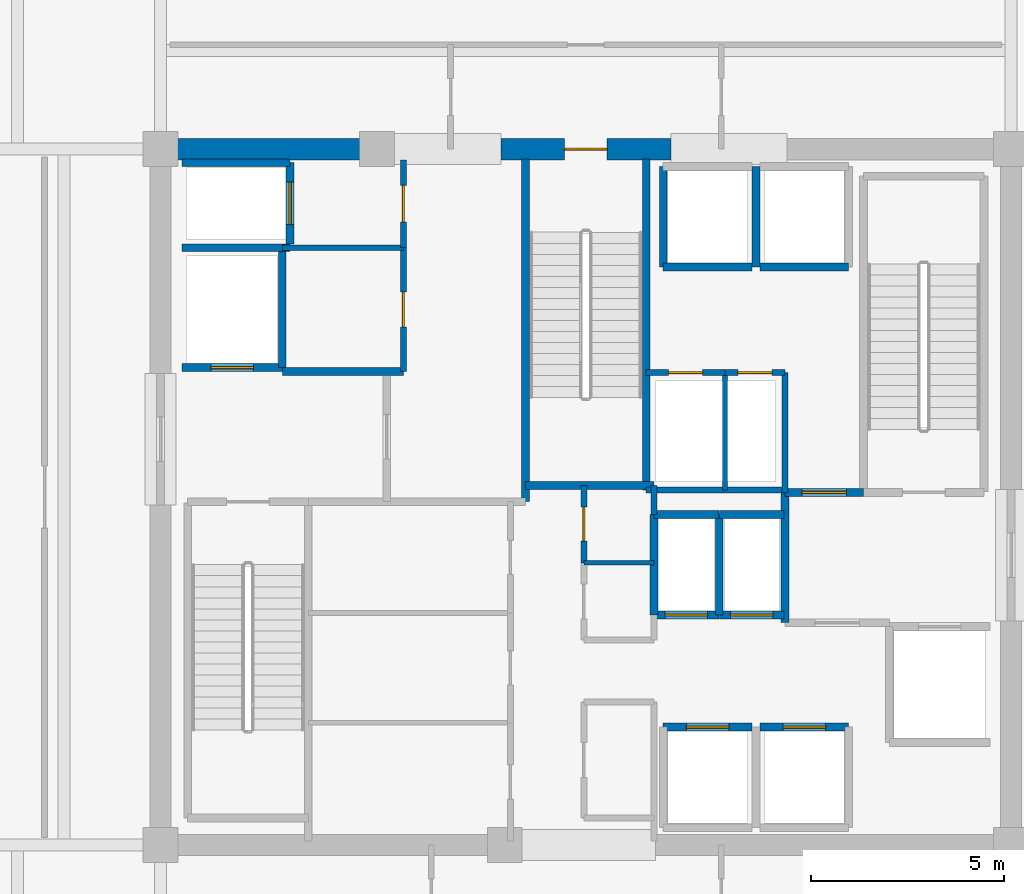
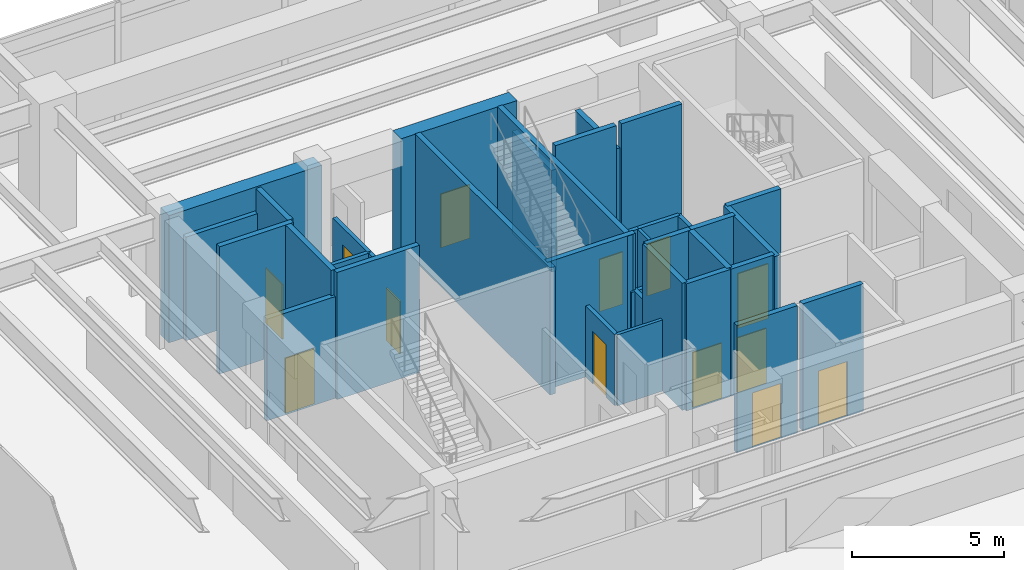
# One storey, part 21 of 24: 36 walls, 13 doors, 13 openings.
"""IFC4 building model written with IfcOpenShell, lengths in metres."""

from ifc_helpers import new_model, si_unit, direction, frame, frame_2d, origin, place, context, subcontext, project, spatial, rectangle, extrude, material, layer, layer_set, type_object, element, fill, save


model = new_model("IFC4")

# Units and contexts
model_context = context("Model", 3, precision=1e-05, world=origin(), true_north=direction((0.0, 1.0)))
body_context = subcontext(model_context, "Body", "Model", "MODEL_VIEW")
ifc_project = project(units=[si_unit("LENGTHUNIT", "METRE"), si_unit("AREAUNIT", "SQUARE_METRE"), si_unit("VOLUMEUNIT", "CUBIC_METRE"), si_unit("PLANEANGLEUNIT", "RADIAN"), si_unit("MASSUNIT", "GRAM", prefix="KILO")], contexts=[model_context])

# Site, building, storey
site_placement = place(None, origin())
site = spatial("IfcSite", under=ifc_project, at=site_placement, CompositionType="ELEMENT")
building_placement = place(site_placement, origin())
building = spatial("IfcBuilding", under=site, at=building_placement, Name="Kovane Verandah Tower", CompositionType="ELEMENT")
storey_placement = place(building_placement, frame((0.0, 0.0, 194.800048828125)))
storey = spatial("IfcBuildingStorey", under=building, at=storey_placement, Name="L45", CompositionType="ELEMENT", Elevation=194.800048828125)

# Wall
ifc_material_1 = material(Name="Fire-Rated Gypsum Stud Partition", Category="gypsum")
ifc_layer_1 = layer(ifc_material_1, 0.14990234375)
ifc_layer_set_1 = layer_set([ifc_layer_1], Name="Fire-Rated Gypsum Stud Partition")
wall_type_1 = type_object("IfcWallType", Name="WL-COR-150", PredefinedType="PARTITIONING", material=ifc_layer_set_1)
wall_1_placement = place(storey_placement, frame((41.760009765625, 27.050048828125, 0.0), z_axis=(0.0, 0.0, 1.0), x_axis=(0.0, 1.0, 0.0)))
element("IfcWall", 1, at=wall_1_placement, inside=storey, type_object=wall_type_1, Name="L45 Central Core Strip Upper East Wall", PredefinedType="PARTITIONING", context=body_context, shape_type="SweptSolid", body=[
    extrude(rectangle(XDim=0.75, YDim=0.14990234375, at=frame_2d((0.375, 0.0))), origin(), (0.0, 0.0, 1.0), 2.849853515625),
])

# Wall, opening, door
wall_2_placement = place(storey_placement, frame((39.949951171875, 25.800048828125, 0.0), z_axis=(0.0, 0.0, 1.0), x_axis=(0.0, 1.0, 0.0)))
wall_2 = element("IfcWall", 2, at=wall_2_placement, inside=storey, type_object=wall_type_1, Name="L45 Telecom Riser Room Partition", PredefinedType="PARTITIONING", context=body_context, shape_type="SweptSolid", body=[
    extrude(rectangle(XDim=2.0, YDim=0.14990234375, at=frame_2d((1.0, 0.0))), origin(), (0.0, 0.0, 1.0), 2.849853515625),
])
opening_1_placement = place(wall_2_placement, frame((0.56005859375, 0.0, 0.0)))
opening_1 = element("IfcOpeningElement", 3, at=opening_1_placement, cuts=wall_2, Name="Opening DR-L45-022", PredefinedType="OPENING", context=body_context, shape_type="SweptSolid", body=[
    extrude(rectangle(XDim=0.8798828125, YDim=2.10009765625, at=frame_2d((0.43994140625, 1.050048828125))), frame((0.0, 0.074951171875, 0.0), z_axis=(0.0, -1.0, 0.0), x_axis=(1.0, 0.0, 0.0)), (0.0, 0.0, 1.0), 0.14990234375),
])
ifc_material_2 = material(Name="Fire-Rated Steel Riser Access Door", Category="steel")
door_type_1 = type_object("IfcDoorType", Name="DR-RISER-880", OperationType="SINGLE_SWING_LEFT", PredefinedType="DOOR", material=ifc_material_2)
door_1_placement = place(opening_1_placement, origin())
door_1 = element("IfcDoor", 4, at=door_1_placement, inside=storey, type_object=door_type_1, Name="L45 Telecom Riser Room Door", OperationType="SINGLE_SWING_RIGHT", OverallHeight=2.10009765625, OverallWidth=0.8798828125, PredefinedType="DOOR", context=body_context, shape_type="SweptSolid", body=[
    extrude(rectangle(XDim=0.8798828125, YDim=2.10009765625, at=frame_2d((0.43994140625, 1.050048828125))), frame((0.0, 0.02490234375, 0.0), z_axis=(0.0, -1.0, 0.0), x_axis=(1.0, 0.0, 0.0)), (0.0, 0.0, 1.0), 0.050048828125),
])
fill(opening_1, door_1)

# Wall
wall_3_placement = place(storey_placement, frame((32.14990234375, 33.949951171875, 0.0), z_axis=(0.0, 0.0, 1.0), x_axis=(1.0, 0.0, 0.0)))
element("IfcWall", 5, at=wall_3_placement, inside=storey, type_object=wall_type_1, Name="L45 Goods Lift Lobby South Wall", PredefinedType="PARTITIONING", context=body_context, shape_type="SweptSolid", body=[
    extrude(rectangle(XDim=3.130126953125, YDim=0.14990234375, at=frame_2d((1.56494140625, 0.0))), origin(), (0.0, 0.0, 1.0), 2.849853515625),
])

# Wall, opening, door
wall_4_placement = place(storey_placement, frame((35.280029296875, 33.949951171875, 0.0), z_axis=(0.0, 0.0, 1.0), x_axis=(0.0, 1.0, 0.0)))
wall_4 = element("IfcWall", 6, at=wall_4_placement, inside=storey, type_object=wall_type_1, Name="L45 Goods Lift Lobby East Fire Partition", PredefinedType="PARTITIONING", context=body_context, shape_type="SweptSolid", body=[
    extrude(rectangle(XDim=2.27001953125, YDim=0.14990234375, at=frame_2d((1.135009765625, 0.0))), origin(), (0.0, 0.0, 1.0), 2.849853515625),
])
opening_2_placement = place(wall_4_placement, frame((0.659912109375, 0.0, 0.0)))
opening_2 = element("IfcOpeningElement", 7, at=opening_2_placement, cuts=wall_4, Name="Opening DR-L45-006", PredefinedType="OPENING", context=body_context, shape_type="SweptSolid", body=[
    extrude(rectangle(XDim=0.949951171875, YDim=2.14990234375, at=frame_2d((0.47509765625, 1.074951171875))), frame((0.0, 0.074951171875, 0.0), z_axis=(0.0, -1.0, 0.0), x_axis=(1.0, 0.0, 0.0)), (0.0, 0.0, 1.0), 0.14990234375),
])
ifc_material_3 = material(Name="Fire-Rated Steel Refuge and Lobby Door", Category="steel")
door_type_2 = type_object("IfcDoorType", Name="DR-FIRE-950", OperationType="SINGLE_SWING_LEFT", PredefinedType="DOOR", material=ifc_material_3)
door_2_placement = place(opening_2_placement, origin())
door_2 = element("IfcDoor", 8, at=door_2_placement, inside=storey, type_object=door_type_2, Name="L45 Goods Lift Lobby Fire Door", OperationType="SINGLE_SWING_LEFT", OverallHeight=2.14990234375, OverallWidth=0.949951171875, PredefinedType="DOOR", context=body_context, shape_type="SweptSolid", body=[
    extrude(rectangle(XDim=0.949951171875, YDim=2.14990234375, at=frame_2d((0.47509765625, 1.074951171875))), frame((0.0, 0.02490234375, 0.0), z_axis=(0.0, -1.0, 0.0), x_axis=(1.0, 0.0, 0.0)), (0.0, 0.0, 1.0), 0.050048828125),
])
fill(opening_2, door_2)

wall_5_placement = place(storey_placement, frame((35.280029296875, 30.75, 0.0), z_axis=(0.0, 0.0, 1.0), x_axis=(0.0, 1.0, 0.0)))
wall_5 = element("IfcWall", 9, at=wall_5_placement, inside=storey, type_object=wall_type_1, Name="L45 Accessible Unisex Toilet Partition", PredefinedType="PARTITIONING", context=body_context, shape_type="SweptSolid", body=[
    extrude(rectangle(XDim=3.199951171875, YDim=0.14990234375, at=frame_2d((1.60009765625, 0.0))), origin(), (0.0, 0.0, 1.0), 2.849853515625),
])
opening_3_placement = place(wall_5_placement, frame((1.14990234375, 0.0, 0.0)))
opening_3 = element("IfcOpeningElement", 10, at=opening_3_placement, cuts=wall_5, Name="Opening DR-L45-024", PredefinedType="OPENING", context=body_context, shape_type="SweptSolid", body=[
    extrude(rectangle(XDim=0.89990234375, YDim=2.10009765625, at=frame_2d((0.449951171875, 1.050048828125))), frame((0.0, 0.074951171875, 0.0), z_axis=(0.0, -1.0, 0.0), x_axis=(1.0, 0.0, 0.0)), (0.0, 0.0, 1.0), 0.14990234375),
])
ifc_material_4 = material(Name="Moisture-Resistant Laminate Washroom Door", Category="wood")
door_type_3 = type_object("IfcDoorType", Name="DR-WC-900", OperationType="SINGLE_SWING_LEFT", PredefinedType="DOOR", material=ifc_material_4)
door_3_placement = place(opening_3_placement, origin())
door_3 = element("IfcDoor", 11, at=door_3_placement, inside=storey, type_object=door_type_3, Name="L45 Accessible Unisex Toilet Door", OperationType="SINGLE_SWING_RIGHT", OverallHeight=2.10009765625, OverallWidth=0.89990234375, PredefinedType="DOOR", context=body_context, shape_type="SweptSolid", body=[
    extrude(rectangle(XDim=0.89990234375, YDim=2.10009765625, at=frame_2d((0.449951171875, 1.050048828125))), frame((0.0, 0.02490234375, 0.0), z_axis=(0.0, -1.0, 0.0), x_axis=(1.0, 0.0, 0.0)), (0.0, 0.0, 1.0), 0.050048828125),
])
fill(opening_3, door_3)

# Walls
wall_6_placement = place(storey_placement, frame((41.56005859375, 27.679931640625, 0.0), z_axis=(0.0, 0.0, 1.0), x_axis=(1.0, 0.0, 0.0)))
element("IfcWall", 12, at=wall_6_placement, inside=storey, type_object=wall_type_1, Name="L45 East Core Service Riser South Wall", PredefinedType="PARTITIONING", context=body_context, shape_type="SweptSolid", body=[
    extrude(rectangle(XDim=3.58984375, YDim=0.14990234375, at=frame_2d((1.794921875, 0.0))), origin(), (0.0, 0.0, 1.0), 2.849853515625),
])
wall_7_placement = place(storey_placement, frame((45.14990234375, 27.6201171875, 0.0), z_axis=(0.0, 0.0, 1.0), x_axis=(0.0, 1.0, 0.0)))
element("IfcWall", 13, at=wall_7_placement, inside=storey, type_object=wall_type_1, Name="L45 East Core Service Riser East Wall", PredefinedType="PARTITIONING", context=body_context, shape_type="SweptSolid", body=[
    extrude(rectangle(XDim=3.099853515625, YDim=0.14990234375, at=frame_2d((1.5498046875, 0.0))), origin(), (0.0, 0.0, 1.0), 2.849853515625),
])

# Wall, opening, door
wall_8_placement = place(storey_placement, frame((41.56005859375, 30.719970703125, 0.0), z_axis=(0.0, 0.0, 1.0), x_axis=(1.0, 0.0, 0.0)))
wall_8 = element("IfcWall", 14, at=wall_8_placement, inside=storey, type_object=wall_type_1, Name="L45 Electrical Sub-Main Riser Room Partition", PredefinedType="PARTITIONING", context=body_context, shape_type="SweptSolid", body=[
    extrude(rectangle(XDim=2.0400390625, YDim=0.14990234375, at=frame_2d((1.02001953125, 0.0))), origin(), (0.0, 0.0, 1.0), 2.849853515625),
])
opening_4_placement = place(wall_8_placement, frame((0.580078125, 0.0, 0.0)))
opening_4 = element("IfcOpeningElement", 15, at=opening_4_placement, cuts=wall_8, Name="Opening DR-L45-018", PredefinedType="OPENING", context=body_context, shape_type="SweptSolid", body=[
    extrude(rectangle(XDim=0.8798828125, YDim=2.10009765625, at=frame_2d((0.43994140625, 1.050048828125))), frame((0.0, 0.074951171875, 0.0), z_axis=(0.0, -1.0, 0.0), x_axis=(1.0, 0.0, 0.0)), (0.0, 0.0, 1.0), 0.14990234375),
])
door_4_placement = place(opening_4_placement, origin())
door_4 = element("IfcDoor", 16, at=door_4_placement, inside=storey, type_object=door_type_1, Name="L45 Electrical Sub-Main Riser Room Door", OperationType="SINGLE_SWING_RIGHT", OverallHeight=2.10009765625, OverallWidth=0.8798828125, PredefinedType="DOOR", context=body_context, shape_type="SweptSolid", body=[
    extrude(rectangle(XDim=0.8798828125, YDim=2.10009765625, at=frame_2d((0.43994140625, 1.050048828125))), frame((0.0, 0.02490234375, 0.0), z_axis=(0.0, -1.0, 0.0), x_axis=(1.0, 0.0, 0.0)), (0.0, 0.0, 1.0), 0.050048828125),
])
fill(opening_4, door_4)

wall_9_placement = place(storey_placement, frame((43.60009765625, 30.719970703125, 0.0), z_axis=(0.0, 0.0, 1.0), x_axis=(1.0, 0.0, 0.0)))
wall_9 = element("IfcWall", 17, at=wall_9_placement, inside=storey, type_object=wall_type_1, Name="L45 Sprinkler Wet Riser Room Partition", PredefinedType="PARTITIONING", context=body_context, shape_type="SweptSolid", body=[
    extrude(rectangle(XDim=1.5498046875, YDim=0.14990234375, at=frame_2d((0.77490234375, 0.0))), origin(), (0.0, 0.0, 1.0), 2.849853515625),
])
opening_5_placement = place(wall_9_placement, frame((0.3349609375, 0.0, 0.0)))
opening_5 = element("IfcOpeningElement", 18, at=opening_5_placement, cuts=wall_9, Name="Opening DR-L45-019", PredefinedType="OPENING", context=body_context, shape_type="SweptSolid", body=[
    extrude(rectangle(XDim=0.8798828125, YDim=2.10009765625, at=frame_2d((0.43994140625, 1.050048828125))), frame((0.0, 0.074951171875, 0.0), z_axis=(0.0, -1.0, 0.0), x_axis=(1.0, 0.0, 0.0)), (0.0, 0.0, 1.0), 0.14990234375),
])
door_5_placement = place(opening_5_placement, origin())
door_5 = element("IfcDoor", 19, at=door_5_placement, inside=storey, type_object=door_type_1, Name="L45 Sprinkler Wet Riser Room Door", OperationType="SINGLE_SWING_LEFT", OverallHeight=2.10009765625, OverallWidth=0.8798828125, PredefinedType="DOOR", context=body_context, shape_type="SweptSolid", body=[
    extrude(rectangle(XDim=0.8798828125, YDim=2.10009765625, at=frame_2d((0.43994140625, 1.050048828125))), frame((0.0, 0.02490234375, 0.0), z_axis=(0.0, -1.0, 0.0), x_axis=(1.0, 0.0, 0.0)), (0.0, 0.0, 1.0), 0.050048828125),
])
fill(opening_5, door_5)

# Wall
ifc_material_5 = material(Name="Concrete C60/75", Category="concrete")
ifc_layer_2 = layer(ifc_material_5, 0.550048828125)
ifc_layer_set_2 = layer_set([ifc_layer_2], Name="Concrete C60/75")
wall_type_2 = type_object("IfcWallType", Name="WL-CORE-550", PredefinedType="SHEAR", material=ifc_layer_set_2)
wall_10_placement = place(storey_placement, frame((29.0, 36.5, 0.0), z_axis=(0.0, 0.0, 1.0), x_axis=(1.0, 0.0, 0.0)))
element("IfcWall", 20, at=wall_10_placement, inside=storey, type_object=wall_type_2, Name="L45 Core Shear Wall CN-1", PredefinedType="SHEAR", context=body_context, shape_type="SweptSolid", body=[
    extrude(rectangle(XDim=5.800048828125, YDim=0.550048828125, at=frame_2d((2.89990234375, 0.0))), origin(), (0.0, 0.0, 1.0), 5.099853515625),
])

# Wall, opening, door
wall_11_placement = place(storey_placement, frame((37.800048828125, 36.5, 0.0), z_axis=(0.0, 0.0, 1.0), x_axis=(1.0, 0.0, 0.0)))
wall_11 = element("IfcWall", 21, at=wall_11_placement, inside=storey, type_object=wall_type_2, Name="L45 Core Shear Wall CN-2", PredefinedType="SHEAR", context=body_context, shape_type="SweptSolid", body=[
    extrude(rectangle(XDim=4.39990234375, YDim=0.550048828125, at=frame_2d((2.199951171875, 0.0))), origin(), (0.0, 0.0, 1.0), 5.099853515625),
])
opening_6_placement = place(wall_11_placement, frame((1.64990234375, 0.0, 0.0)))
opening_6 = element("IfcOpeningElement", 22, at=opening_6_placement, cuts=wall_11, Name="Opening DR-L45-013", PredefinedType="OPENING", context=body_context, shape_type="SweptSolid", body=[
    extrude(rectangle(XDim=1.10009765625, YDim=2.14990234375, at=frame_2d((0.550048828125, 1.074951171875))), frame((0.0, 0.27490234375, 0.0), z_axis=(0.0, -1.0, 0.0), x_axis=(1.0, 0.0, 0.0)), (0.0, 0.0, 1.0), 0.550048828125),
])
ifc_material_6 = material(Name="Fire-Rated Steel Exit Door", Category="steel")
door_type_4 = type_object("IfcDoorType", Name="DR-STAIR-1100", OperationType="SINGLE_SWING_LEFT", PredefinedType="DOOR", material=ifc_material_6)
door_6_placement = place(opening_6_placement, origin())
door_6 = element("IfcDoor", 23, at=door_6_placement, inside=storey, type_object=door_type_4, Name="L45 ST-03 Fire Exit Stair Door", OperationType="SINGLE_SWING_LEFT", OverallHeight=2.14990234375, OverallWidth=1.10009765625, PredefinedType="DOOR", context=body_context, shape_type="SweptSolid", body=[
    extrude(rectangle(XDim=1.10009765625, YDim=2.14990234375, at=frame_2d((0.550048828125, 1.074951171875))), frame((0.0, 0.02490234375, 0.0), z_axis=(0.0, -1.0, 0.0), x_axis=(1.0, 0.0, 0.0)), (0.0, 0.0, 1.0), 0.050048828125),
])
fill(opening_6, door_6)

# Walls
ifc_material_7 = material(Name="Concrete C45/55 Fire Wall", Category="concrete")
ifc_layer_3 = layer(ifc_material_7, 0.199951171875)
ifc_layer_set_3 = layer_set([ifc_layer_3], Name="Concrete C45/55 Fire Wall")
wall_type_3 = type_object("IfcWallType", Name="WL-FFL-200", PredefinedType="PARTITIONING", material=ifc_layer_set_3)
wall_12_placement = place(storey_placement, frame((32.14990234375, 30.75, 0.0), z_axis=(0.0, 0.0, 1.0), x_axis=(1.0, 0.0, 0.0)))
element("IfcWall", 24, at=wall_12_placement, inside=storey, type_object=wall_type_3, Name="L45 West Firefighting Lobby North Fire Wall", PredefinedType="PARTITIONING", context=body_context, shape_type="SweptSolid", body=[
    extrude(rectangle(XDim=3.130126953125, YDim=0.199951171875, at=frame_2d((1.56494140625, 0.0))), origin(), (0.0, 0.0, 1.0), 5.099853515625),
])
wall_13_placement = place(storey_placement, frame((45.14990234375, 24.25, 0.0), z_axis=(0.0, 0.0, 1.0), x_axis=(0.0, 1.0, 0.0)))
element("IfcWall", 25, at=wall_13_placement, inside=storey, type_object=wall_type_3, Name="L45 East Firefighting Lobby West Fire Wall", PredefinedType="PARTITIONING", context=body_context, shape_type="SweptSolid", body=[
    extrude(rectangle(XDim=3.3701171875, YDim=0.199951171875, at=frame_2d((1.68505859375, 0.0))), origin(), (0.0, 0.0, 1.0), 5.099853515625),
])

# Wall, opening, door
wall_14_placement = place(storey_placement, frame((45.14990234375, 27.6201171875, 0.0), z_axis=(0.0, 0.0, 1.0), x_axis=(1.0, 0.0, 0.0)))
wall_14 = element("IfcWall", 26, at=wall_14_placement, inside=storey, type_object=wall_type_3, Name="W-L45-FFLE-N", PredefinedType="PARTITIONING", context=body_context, shape_type="SweptSolid", body=[
    extrude(rectangle(XDim=2.030029296875, YDim=0.199951171875, at=frame_2d((1.01513671875, 0.0))), origin(), (0.0, 0.0, 1.0), 5.099853515625),
])
opening_7_placement = place(wall_14_placement, frame((0.43994140625, 0.0, 0.0)))
opening_7 = element("IfcOpeningElement", 27, at=opening_7_placement, cuts=wall_14, Name="Opening DR-L45-002", PredefinedType="OPENING", context=body_context, shape_type="SweptSolid", body=[
    extrude(rectangle(XDim=1.14990234375, YDim=2.199951171875, at=frame_2d((0.574951171875, 1.10009765625))), frame((0.0, 0.10009765625, 0.0), z_axis=(0.0, -1.0, 0.0), x_axis=(1.0, 0.0, 0.0)), (0.0, 0.0, 1.0), 0.199951171875),
])
ifc_material_8 = material(Name="Smoke-Sealed Firefighting Lobby Door", Category="steel")
door_type_5 = type_object("IfcDoorType", Name="DR-FFL-1150", OperationType="SINGLE_SWING_LEFT", PredefinedType="DOOR", material=ifc_material_8)
door_7_placement = place(opening_7_placement, origin())
door_7 = element("IfcDoor", 28, at=door_7_placement, inside=storey, type_object=door_type_5, Name="L45 East Firefighting Lobby Shuttle Link Door", OperationType="SINGLE_SWING_LEFT", OverallHeight=2.199951171875, OverallWidth=1.14990234375, PredefinedType="DOOR", context=body_context, shape_type="SweptSolid", body=[
    extrude(rectangle(XDim=1.14990234375, YDim=2.199951171875, at=frame_2d((0.574951171875, 1.10009765625))), frame((0.0, 0.02490234375, 0.0), z_axis=(0.0, -1.0, 0.0), x_axis=(1.0, 0.0, 0.0)), (0.0, 0.0, 1.0), 0.050048828125),
])
fill(opening_7, door_7)

ifc_material_9 = material(Name="Concrete C45/55 Lift Shaft Wall", Category="concrete")
ifc_layer_4 = layer(ifc_material_9, 0.199951171875)
ifc_layer_set_4 = layer_set([ifc_layer_4], Name="Concrete C45/55 Lift Shaft Wall")
wall_type_4 = type_object("IfcWallType", Name="WL-LIFT-200", PredefinedType="SOLIDWALL", material=ifc_layer_set_4)
wall_15_placement = place(storey_placement, frame((29.550048828125, 30.85009765625, 0.0), z_axis=(0.0, 0.0, 1.0), x_axis=(1.0, 0.0, 0.0)))
wall_15 = element("IfcWall", 29, at=wall_15_placement, inside=storey, type_object=wall_type_4, Name="L45 Lift FL-01 S Shaft Wall", PredefinedType="SOLIDWALL", context=body_context, shape_type="SweptSolid", body=[
    extrude(rectangle(XDim=2.599853515625, YDim=0.199951171875, at=frame_2d((1.2998046875, 0.0))), origin(), (0.0, 0.0, 1.0), 4.079833984375),
])
opening_8_placement = place(wall_15_placement, frame((0.75, 0.0, 0.0)))
opening_8 = element("IfcOpeningElement", 30, at=opening_8_placement, cuts=wall_15, Name="Opening LD-L45-001", PredefinedType="OPENING", context=body_context, shape_type="SweptSolid", body=[
    extrude(rectangle(XDim=1.10009765625, YDim=2.199951171875, at=frame_2d((0.550048828125, 1.10009765625))), frame((0.0, 0.10009765625, 0.0), z_axis=(0.0, -1.0, 0.0), x_axis=(1.0, 0.0, 0.0)), (0.0, 0.0, 1.0), 0.199951171875),
])
ifc_material_10 = material(Name="Brushed Stainless Steel Sliding Lift Landing Door", Category="steel")
door_type_6 = type_object("IfcDoorType", Name="DR-LIFT-1100", OperationType="SLIDING_TO_RIGHT", PredefinedType="DOOR", material=ifc_material_10)
door_8_placement = place(opening_8_placement, origin())
door_8 = element("IfcDoor", 31, at=door_8_placement, inside=storey, type_object=door_type_6, Name="L45 Lift FL-01 Sliding Landing Door", OperationType="SLIDING_TO_RIGHT", OverallHeight=2.199951171875, OverallWidth=1.10009765625, PredefinedType="DOOR", context=body_context, shape_type="SweptSolid", body=[
    extrude(rectangle(XDim=1.10009765625, YDim=2.199951171875, at=frame_2d((0.550048828125, 1.10009765625))), frame((0.0, 0.02490234375, 0.0), z_axis=(0.0, -1.0, 0.0), x_axis=(1.0, 0.0, 0.0)), (0.0, 0.0, 1.0), 0.050048828125),
])
fill(opening_8, door_8)

# Walls
wall_16_placement = place(storey_placement, frame((29.550048828125, 33.949951171875, 0.0), z_axis=(0.0, 0.0, 1.0), x_axis=(1.0, 0.0, 0.0)))
element("IfcWall", 32, at=wall_16_placement, inside=storey, type_object=wall_type_4, Name="L45 Lift FL-01 and GL-01 Shared Shaft Wall", PredefinedType="SOLIDWALL", context=body_context, shape_type="SweptSolid", body=[
    extrude(rectangle(XDim=2.800048828125, YDim=0.199951171875, at=frame_2d((1.39990234375, 0.0))), origin(), (0.0, 0.0, 1.0), 5.099853515625),
])
wall_17_placement = place(storey_placement, frame((32.14990234375, 30.85009765625, 0.0), z_axis=(0.0, 0.0, 1.0), x_axis=(0.0, 1.0, 0.0)))
element("IfcWall", 33, at=wall_17_placement, inside=storey, type_object=wall_type_4, Name="L45 Lift FL-01 E Shaft Wall", PredefinedType="SOLIDWALL", context=body_context, shape_type="SweptSolid", body=[
    extrude(rectangle(XDim=3.0, YDim=0.199951171875, at=frame_2d((1.5, 0.0))), origin(), (0.0, 0.0, 1.0), 5.099853515625),
])
wall_18_placement = place(storey_placement, frame((32.35009765625, 36.14990234375, 0.0), z_axis=(0.0, 0.0, 1.0), x_axis=(-1.0, 0.0, 0.0)))
element("IfcWall", 34, at=wall_18_placement, inside=storey, type_object=wall_type_4, Name="L45 Lift GL-01 N Shaft Wall", PredefinedType="SOLIDWALL", context=body_context, shape_type="SweptSolid", body=[
    extrude(rectangle(XDim=2.800048828125, YDim=0.199951171875, at=frame_2d((1.39990234375, 0.0))), origin(), (0.0, 0.0, 1.0), 4.1533203125),
])

# Wall, opening, door
wall_19_placement = place(storey_placement, frame((32.35009765625, 34.050048828125, 0.0), z_axis=(0.0, 0.0, 1.0), x_axis=(0.0, 1.0, 0.0)))
wall_19 = element("IfcWall", 35, at=wall_19_placement, inside=storey, type_object=wall_type_4, Name="L45 Lift GL-01 E Shaft Wall", PredefinedType="SOLIDWALL", context=body_context, shape_type="SweptSolid", body=[
    extrude(rectangle(XDim=2.099853515625, YDim=0.199951171875, at=frame_2d((1.0498046875, 0.0))), origin(), (0.0, 0.0, 1.0), 5.099853515625),
])
opening_9_placement = place(wall_19_placement, frame((0.5, 0.0, 0.0)))
opening_9 = element("IfcOpeningElement", 36, at=opening_9_placement, cuts=wall_19, Name="Opening LD-L45-003", PredefinedType="OPENING", context=body_context, shape_type="SweptSolid", body=[
    extrude(rectangle(XDim=1.10009765625, YDim=2.199951171875, at=frame_2d((0.550048828125, 1.10009765625))), frame((0.0, 0.10009765625, 0.0), z_axis=(0.0, -1.0, 0.0), x_axis=(1.0, 0.0, 0.0)), (0.0, 0.0, 1.0), 0.199951171875),
])
door_9_placement = place(opening_9_placement, origin())
door_9 = element("IfcDoor", 37, at=door_9_placement, inside=storey, type_object=door_type_6, Name="L45 Lift GL-01 Sliding Landing Door", OperationType="SLIDING_TO_RIGHT", OverallHeight=2.199951171875, OverallWidth=1.10009765625, PredefinedType="DOOR", context=body_context, shape_type="SweptSolid", body=[
    extrude(rectangle(XDim=1.10009765625, YDim=2.199951171875, at=frame_2d((0.550048828125, 1.10009765625))), frame((0.0, 0.02490234375, 0.0), z_axis=(0.0, -1.0, 0.0), x_axis=(1.0, 0.0, 0.0)), (0.0, 0.0, 1.0), 0.050048828125),
])
fill(opening_9, door_9)

wall_20_placement = place(storey_placement, frame((44.300048828125, 21.550048828125, 0.0), z_axis=(0.0, 0.0, 1.0), x_axis=(-1.0, 0.0, 0.0)))
wall_20 = element("IfcWall", 38, at=wall_20_placement, inside=storey, type_object=wall_type_4, Name="L45 Lift PL-M1 N Shaft Wall", PredefinedType="SOLIDWALL", context=body_context, shape_type="SweptSolid", body=[
    extrude(rectangle(XDim=2.300048828125, YDim=0.199951171875, at=frame_2d((1.14990234375, 0.0))), origin(), (0.0, 0.0, 1.0), 5.099853515625),
])
opening_10_placement = place(wall_20_placement, frame((0.60009765625, 0.0, 0.0)))
opening_10 = element("IfcOpeningElement", 39, at=opening_10_placement, cuts=wall_20, Name="Opening LD-L45-004", PredefinedType="OPENING", context=body_context, shape_type="SweptSolid", body=[
    extrude(rectangle(XDim=1.10009765625, YDim=2.199951171875, at=frame_2d((0.550048828125, 1.10009765625))), frame((0.0, 0.10009765625, 0.0), z_axis=(0.0, -1.0, 0.0), x_axis=(1.0, 0.0, 0.0)), (0.0, 0.0, 1.0), 0.199951171875),
])
door_10_placement = place(opening_10_placement, origin())
door_10 = element("IfcDoor", 40, at=door_10_placement, inside=storey, type_object=door_type_6, Name="L45 Lift PL-M1 Sliding Landing Door", OperationType="SLIDING_TO_RIGHT", OverallHeight=2.199951171875, OverallWidth=1.10009765625, PredefinedType="DOOR", context=body_context, shape_type="SweptSolid", body=[
    extrude(rectangle(XDim=1.10009765625, YDim=2.199951171875, at=frame_2d((0.550048828125, 1.10009765625))), frame((0.0, 0.02490234375, 0.0), z_axis=(0.0, -1.0, 0.0), x_axis=(1.0, 0.0, 0.0)), (0.0, 0.0, 1.0), 0.050048828125),
])
fill(opening_10, door_10)

wall_21_placement = place(storey_placement, frame((46.800048828125, 21.550048828125, 0.0), z_axis=(0.0, 0.0, 1.0), x_axis=(-1.0, 0.0, 0.0)))
wall_21 = element("IfcWall", 41, at=wall_21_placement, inside=storey, type_object=wall_type_4, Name="L45 Lift PL-M2 N Shaft Wall", PredefinedType="SOLIDWALL", context=body_context, shape_type="SweptSolid", body=[
    extrude(rectangle(XDim=2.300048828125, YDim=0.199951171875, at=frame_2d((1.14990234375, 0.0))), origin(), (0.0, 0.0, 1.0), 5.099853515625),
])
opening_11_placement = place(wall_21_placement, frame((0.60009765625, 0.0, 0.0)))
opening_11 = element("IfcOpeningElement", 42, at=opening_11_placement, cuts=wall_21, Name="Opening LD-L45-005", PredefinedType="OPENING", context=body_context, shape_type="SweptSolid", body=[
    extrude(rectangle(XDim=1.10009765625, YDim=2.199951171875, at=frame_2d((0.550048828125, 1.10009765625))), frame((0.0, 0.10009765625, 0.0), z_axis=(0.0, -1.0, 0.0), x_axis=(1.0, 0.0, 0.0)), (0.0, 0.0, 1.0), 0.199951171875),
])
door_11_placement = place(opening_11_placement, origin())
door_11 = element("IfcDoor", 43, at=door_11_placement, inside=storey, type_object=door_type_6, Name="L45 Lift PL-M2 Sliding Landing Door", OperationType="SLIDING_TO_RIGHT", OverallHeight=2.199951171875, OverallWidth=1.10009765625, PredefinedType="DOOR", context=body_context, shape_type="SweptSolid", body=[
    extrude(rectangle(XDim=1.10009765625, YDim=2.199951171875, at=frame_2d((0.550048828125, 1.10009765625))), frame((0.0, 0.02490234375, 0.0), z_axis=(0.0, -1.0, 0.0), x_axis=(1.0, 0.0, 0.0)), (0.0, 0.0, 1.0), 0.050048828125),
])
fill(opening_11, door_11)

wall_22_placement = place(storey_placement, frame((41.760009765625, 24.449951171875, 0.0), z_axis=(0.0, 0.0, 1.0), x_axis=(1.0, 0.0, 0.0)))
wall_22 = element("IfcWall", 44, at=wall_22_placement, inside=storey, type_object=wall_type_4, Name="L45 Lift PL-M3 S Shaft Wall", PredefinedType="SOLIDWALL", context=body_context, shape_type="SweptSolid", body=[
    extrude(rectangle(XDim=1.679931640625, YDim=0.199951171875, at=frame_2d((0.83984375, 0.0))), origin(), (0.0, 0.0, 1.0), 5.099853515625),
])
opening_12_placement = place(wall_22_placement, frame((0.2900390625, 0.0, 0.0)))
opening_12 = element("IfcOpeningElement", 45, at=opening_12_placement, cuts=wall_22, Name="Opening LD-L45-006", PredefinedType="OPENING", context=body_context, shape_type="SweptSolid", body=[
    extrude(rectangle(XDim=1.10009765625, YDim=2.199951171875, at=frame_2d((0.550048828125, 1.10009765625))), frame((0.0, 0.10009765625, 0.0), z_axis=(0.0, -1.0, 0.0), x_axis=(1.0, 0.0, 0.0)), (0.0, 0.0, 1.0), 0.199951171875),
])
door_12_placement = place(opening_12_placement, origin())
door_12 = element("IfcDoor", 46, at=door_12_placement, inside=storey, type_object=door_type_6, Name="L45 Lift PL-M3 Sliding Landing Door", OperationType="SLIDING_TO_RIGHT", OverallHeight=2.199951171875, OverallWidth=1.10009765625, PredefinedType="DOOR", context=body_context, shape_type="SweptSolid", body=[
    extrude(rectangle(XDim=1.10009765625, YDim=2.199951171875, at=frame_2d((0.550048828125, 1.10009765625))), frame((0.0, 0.02490234375, 0.0), z_axis=(0.0, -1.0, 0.0), x_axis=(1.0, 0.0, 0.0)), (0.0, 0.0, 1.0), 0.050048828125),
])
fill(opening_12, door_12)

# Walls
wall_23_placement = place(storey_placement, frame((43.43994140625, 27.050048828125, 0.0), z_axis=(0.0, 0.0, 1.0), x_axis=(-1.0, 0.0, 0.0)))
element("IfcWall", 47, at=wall_23_placement, inside=storey, type_object=wall_type_4, Name="L45 Lift PL-M3 N Shaft Wall", PredefinedType="SOLIDWALL", context=body_context, shape_type="SweptSolid", body=[
    extrude(rectangle(XDim=1.679931640625, YDim=0.199951171875, at=frame_2d((0.83984375, 0.0))), origin(), (0.0, 0.0, 1.0), 5.099853515625),
])
for number, where, z_axis, x_axis, name in (
    (48, (41.760009765625, 27.050048828125, 0.0), (0.0, 0.0, 1.0), (0.0, -1.0, 0.0), "L45 Lift PL-M3 W Shaft Wall"),
    (49, (43.449951171875, 24.449951171875, 0.0), (0.0, 0.0, 1.0), (0.0, 1.0, 0.0), "L45 Lift PL-M3 and PL-M4 Shared Shaft Wall"),
):
    element("IfcWall", number, at=place(storey_placement, frame(where, z_axis=z_axis, x_axis=x_axis)), inside=storey, type_object=wall_type_4, Name=name, PredefinedType="SOLIDWALL", context=body_context, shape_type="SweptSolid", body=[
        extrude(rectangle(XDim=2.60009765625, YDim=0.199951171875, at=frame_2d((1.300048828125, 0.0))), origin(), (0.0, 0.0, 1.0), 5.099853515625),
    ])

# Wall, opening, door
wall_24_placement = place(storey_placement, frame((43.4599609375, 24.449951171875, 0.0), z_axis=(0.0, 0.0, 1.0), x_axis=(1.0, 0.0, 0.0)))
wall_24 = element("IfcWall", 50, at=wall_24_placement, inside=storey, type_object=wall_type_4, Name="L45 Lift PL-M4 S Shaft Wall", PredefinedType="SOLIDWALL", context=body_context, shape_type="SweptSolid", body=[
    extrude(rectangle(XDim=1.66015625, YDim=0.199951171875, at=frame_2d((0.830078125, 0.0))), origin(), (0.0, 0.0, 1.0), 5.099853515625),
])
opening_13_placement = place(wall_24_placement, frame((0.280029296875, 0.0, 0.0)))
opening_13 = element("IfcOpeningElement", 51, at=opening_13_placement, cuts=wall_24, Name="Opening LD-L45-007", PredefinedType="OPENING", context=body_context, shape_type="SweptSolid", body=[
    extrude(rectangle(XDim=1.10009765625, YDim=2.199951171875, at=frame_2d((0.550048828125, 1.10009765625))), frame((0.0, 0.10009765625, 0.0), z_axis=(0.0, -1.0, 0.0), x_axis=(1.0, 0.0, 0.0)), (0.0, 0.0, 1.0), 0.199951171875),
])
door_13_placement = place(opening_13_placement, origin())
door_13 = element("IfcDoor", 52, at=door_13_placement, inside=storey, type_object=door_type_6, Name="L45 Lift PL-M4 Sliding Landing Door", OperationType="SLIDING_TO_RIGHT", OverallHeight=2.199951171875, OverallWidth=1.10009765625, PredefinedType="DOOR", context=body_context, shape_type="SweptSolid", body=[
    extrude(rectangle(XDim=1.10009765625, YDim=2.199951171875, at=frame_2d((0.550048828125, 1.10009765625))), frame((0.0, 0.02490234375, 0.0), z_axis=(0.0, -1.0, 0.0), x_axis=(1.0, 0.0, 0.0)), (0.0, 0.0, 1.0), 0.050048828125),
])
fill(opening_13, door_13)

# Walls
wall_25_placement = place(storey_placement, frame((45.1201171875, 27.050048828125, 0.0), z_axis=(0.0, 0.0, 1.0), x_axis=(-1.0, 0.0, 0.0)))
element("IfcWall", 53, at=wall_25_placement, inside=storey, type_object=wall_type_4, Name="L45 Lift PL-M4 N Shaft Wall", PredefinedType="SOLIDWALL", context=body_context, shape_type="SweptSolid", body=[
    extrude(rectangle(XDim=1.66015625, YDim=0.199951171875, at=frame_2d((0.830078125, 0.0))), origin(), (0.0, 0.0, 1.0), 5.099853515625),
])
wall_26_placement = place(storey_placement, frame((42.0, 33.449951171875, 0.0), z_axis=(0.0, 0.0, 1.0), x_axis=(1.0, 0.0, 0.0)))
element("IfcWall", 54, at=wall_26_placement, inside=storey, type_object=wall_type_4, Name="L45 Lift SL-01 S Shaft Wall", PredefinedType="SOLIDWALL", context=body_context, shape_type="SweptSolid", body=[
    extrude(rectangle(XDim=2.300048828125, YDim=0.199951171875, at=frame_2d((1.14990234375, 0.0))), origin(), (0.0, 0.0, 1.0), 5.099853515625),
])
for number, where, z_axis, x_axis, name in (
    (55, (42.0, 36.050048828125, 0.0), (0.0, 0.0, 1.0), (0.0, -1.0, 0.0), "L45 Lift SL-01 W Shaft Wall"),
    (56, (44.39990234375, 33.449951171875, 0.0), (0.0, 0.0, 1.0), (0.0, 1.0, 0.0), "L45 Lift OL-01 and SL-01 Shared Shaft Wall"),
):
    element("IfcWall", number, at=place(storey_placement, frame(where, z_axis=z_axis, x_axis=x_axis)), inside=storey, type_object=wall_type_4, Name=name, PredefinedType="SOLIDWALL", context=body_context, shape_type="SweptSolid", body=[
        extrude(rectangle(XDim=2.60009765625, YDim=0.199951171875, at=frame_2d((1.300048828125, 0.0))), origin(), (0.0, 0.0, 1.0), 4.079833984375),
    ])
wall_27_placement = place(storey_placement, frame((44.5, 33.449951171875, 0.0), z_axis=(0.0, 0.0, 1.0), x_axis=(1.0, 0.0, 0.0)))
element("IfcWall", 57, at=wall_27_placement, inside=storey, type_object=wall_type_4, Name="L45 Lift OL-01 S Shaft Wall", PredefinedType="SOLIDWALL", context=body_context, shape_type="SweptSolid", body=[
    extrude(rectangle(XDim=2.300048828125, YDim=0.199951171875, at=frame_2d((1.14990234375, 0.0))), origin(), (0.0, 0.0, 1.0), 5.099853515625),
])
ifc_material_11 = material(Name="Acoustic Fire-Rated Gypsum Partition", Category="gypsum")
ifc_layer_5 = layer(ifc_material_11, 0.1201171875)
ifc_layer_set_5 = layer_set([ifc_layer_5], Name="Acoustic Fire-Rated Gypsum Partition")
wall_type_5 = type_object("IfcWallType", Name="WL-PART-120", PredefinedType="PARTITIONING", material=ifc_layer_set_5)
wall_28_placement = place(storey_placement, frame((39.949951171875, 25.800048828125, 0.0), z_axis=(0.0, 0.0, 1.0), x_axis=(1.0, 0.0, 0.0)))
element("IfcWall", 58, at=wall_28_placement, inside=storey, type_object=wall_type_5, Name="L45 Central Core Strip Upper Dividing Partition", PredefinedType="PARTITIONING", context=body_context, shape_type="SweptSolid", body=[
    extrude(rectangle(XDim=1.81005859375, YDim=0.1201171875, at=frame_2d((0.905029296875, 0.0))), origin(), (0.0, 0.0, 1.0), 2.849853515625),
])
wall_29_placement = place(storey_placement, frame((43.60009765625, 27.679931640625, 0.0), z_axis=(0.0, 0.0, 1.0), x_axis=(0.0, 1.0, 0.0)))
element("IfcWall", 59, at=wall_29_placement, inside=storey, type_object=wall_type_5, Name="L45 Service Riser Dividing Partition", PredefinedType="PARTITIONING", context=body_context, shape_type="SweptSolid", body=[
    extrude(rectangle(XDim=3.0400390625, YDim=0.1201171875, at=frame_2d((1.52001953125, 0.0))), origin(), (0.0, 0.0, 1.0), 2.849853515625),
])
ifc_material_12 = material(Name="Concrete C45/55", Category="concrete")
ifc_layer_6 = layer(ifc_material_12, 0.199951171875)
ifc_layer_set_6 = layer_set([ifc_layer_6], Name="Concrete C45/55")
wall_type_6 = type_object("IfcWallType", Name="WL-SHAFT-200", PredefinedType="SOLIDWALL", material=ifc_layer_set_6)
wall_30_placement = place(storey_placement, frame((38.43994140625, 27.3798828125, 0.0), z_axis=(0.0, 0.0, 1.0), x_axis=(0.0, 1.0, 0.0)))
element("IfcWall", 60, at=wall_30_placement, inside=storey, type_object=wall_type_6, Name="W-L45-ST03-W", PredefinedType="SOLIDWALL", context=body_context, shape_type="SweptSolid", body=[
    extrude(rectangle(XDim=8.8701171875, YDim=0.199951171875, at=frame_2d((4.43505859375, 0.0))), origin(), (0.0, 0.0, 1.0), 5.099853515625),
])
wall_31_placement = place(storey_placement, frame((41.56005859375, 27.679931640625, 0.0), z_axis=(0.0, 0.0, 1.0), x_axis=(0.0, 1.0, 0.0)))
element("IfcWall", 61, at=wall_31_placement, inside=storey, type_object=wall_type_6, Name="W-L45-ST03-E", PredefinedType="SOLIDWALL", context=body_context, shape_type="SweptSolid", body=[
    extrude(rectangle(XDim=8.570068359375, YDim=0.199951171875, at=frame_2d((4.28515625, 0.0))), origin(), (0.0, 0.0, 1.0), 5.099853515625),
])
wall_32_placement = place(storey_placement, frame((38.43994140625, 27.800048828125, 0.0), z_axis=(0.0, 0.0, 1.0), x_axis=(1.0, 0.0, 0.0)))
element("IfcWall", 62, at=wall_32_placement, inside=storey, type_object=wall_type_6, Name="W-L45-ST03-S", PredefinedType="SOLIDWALL", context=body_context, shape_type="SweptSolid", body=[
    extrude(rectangle(XDim=3.320068359375, YDim=0.199951171875, at=frame_2d((1.66015625, 0.0))), origin(), (0.0, 0.0, 1.0), 5.099853515625),
])

save(model, "model.ifc")
